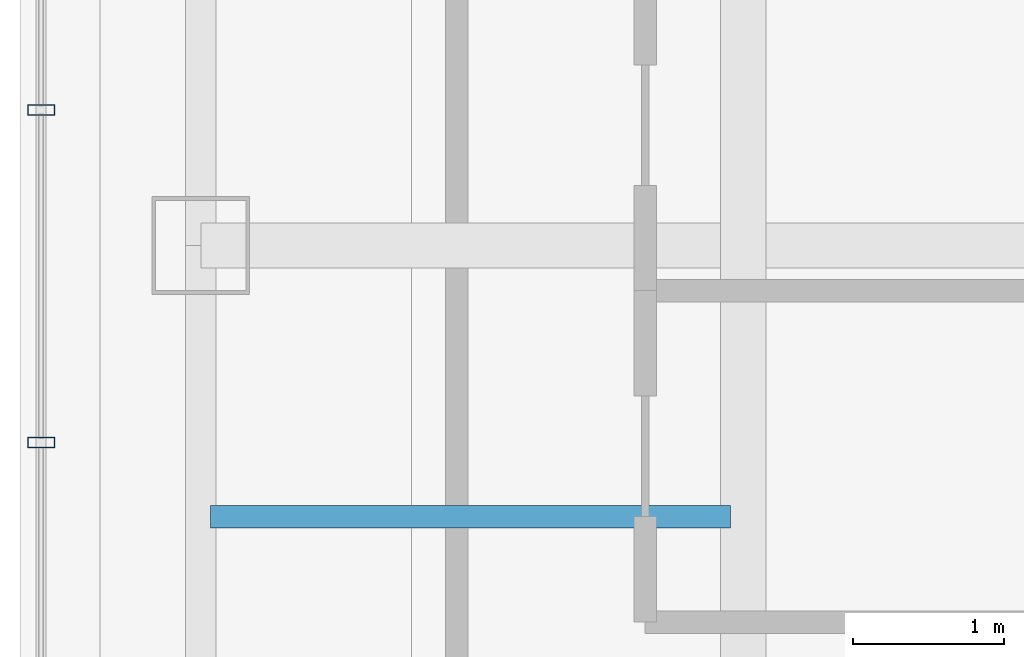
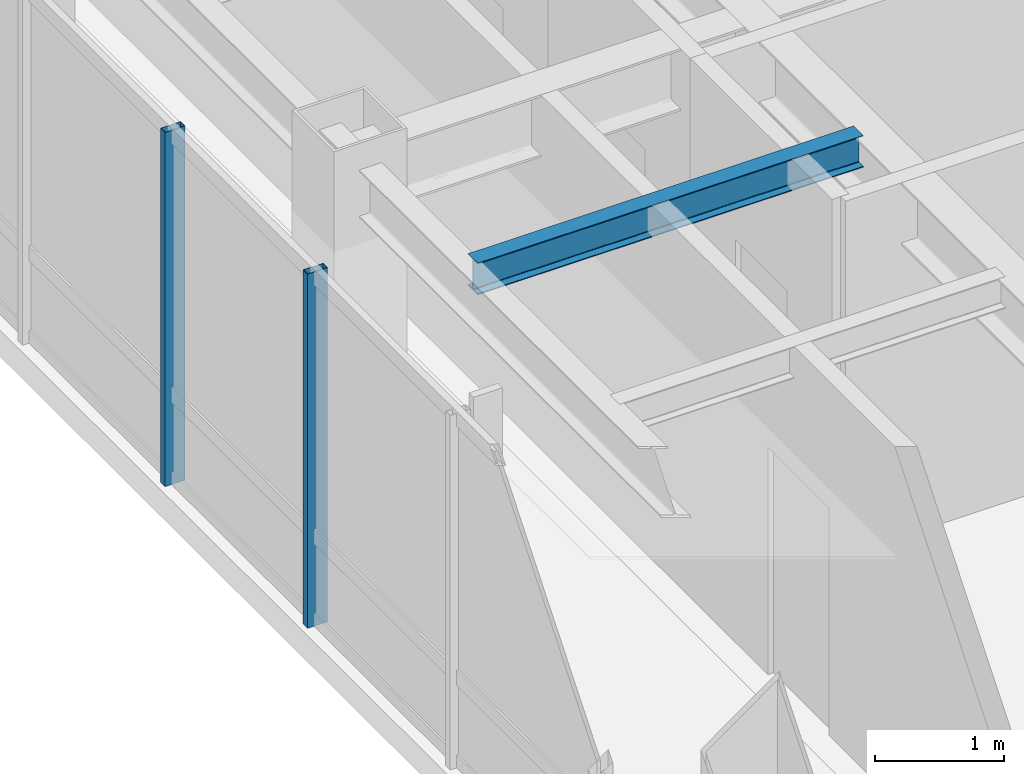
# One storey, part 6 of 25: 2 members, 1 beam, 1 element without a shape of its own.
"""IFC4 building model written with IfcOpenShell, lengths in metres."""

from ifc_helpers import new_model, si_unit, direction, frame, origin, origin_2d, place, context, subcontext, project, spatial, hollow_rectangle, i_section, extrude, material, layer, layer_set, material_profile, profile_set, type_object, element, aggregate, save


model = new_model("IFC4")

# Units and contexts
model_context = context("Model", 3, precision=1e-05, world=origin(), true_north=direction((0.0, 1.0)))
body_context = subcontext(model_context, "Body", "Model", "MODEL_VIEW")
ifc_project = project(units=[si_unit("LENGTHUNIT", "METRE"), si_unit("AREAUNIT", "SQUARE_METRE"), si_unit("VOLUMEUNIT", "CUBIC_METRE"), si_unit("PLANEANGLEUNIT", "RADIAN"), si_unit("MASSUNIT", "GRAM", prefix="KILO")], contexts=[model_context])

# Site, building, storey
site_placement = place(None, origin())
site = spatial("IfcSite", under=ifc_project, at=site_placement, CompositionType="ELEMENT")
building_placement = place(site_placement, origin())
building = spatial("IfcBuilding", under=site, at=building_placement, Name="Hatsunagi Terrace Concourse", CompositionType="ELEMENT")
storey_placement = place(building_placement, frame((0.0, 0.0, 220.35009765625)))
storey = spatial("IfcBuildingStorey", under=building, at=storey_placement, Name="L58", CompositionType="ELEMENT", Elevation=220.35009765625)

# Curtain wall, members
ifc_material_1 = material(Name="Anodised Aluminium Alloy 6063-T5", Category="aluminium")
ifc_layer = layer(ifc_material_1, 0.199951171875)
ifc_layer_set = layer_set([ifc_layer], Name="OfficeZone2_CW04")
curtain_wall_type = type_object("IfcCurtainWallType", Name="OfficeZone2_CW04", PredefinedType="NOTDEFINED", material=ifc_layer_set)
curtain_wall_placement = place(storey_placement, origin())
curtain_wall = element("IfcCurtainWall", 1, at=curtain_wall_placement, inside=storey, type_object=curtain_wall_type, Name="Unitised Curtain Wall CW-04 CW-L58-08", PredefinedType="NOTDEFINED")
ifc_material_2 = material(Name="Anodised Aluminium Alloy 6063-T5", Category="aluminium")
ifc_material_profile_1 = material_profile(ifc_material_2, hollow_rectangle(XDim=0.070068359375, YDim=0.179931640625, WallThickness=0.00390625, at=origin_2d()), Name="ALU-MUL-180x70x4")
ifc_profile_set_1 = profile_set([ifc_material_profile_1], Name="Anodised Aluminium Alloy 6063-T5")
member_type = type_object("IfcMemberType", Name="CurtainWallMullion_180x70", PredefinedType="MULLION", material=ifc_profile_set_1)
member_1_placement = place(storey_placement, frame((18.139892578125, 34.69189453125, 0.0), z_axis=(0.0, 0.0, 1.0), x_axis=(0.0, 1.0, 0.0)))
member_1 = element("IfcMember", 2, at=member_1_placement, type_object=member_type, Name="Curtain Wall Mullion MUL-02", PredefinedType="MULLION", context=body_context, shape_type="SweptSolid", body=[
    extrude(hollow_rectangle(XDim=0.070068359375, YDim=0.179931640625, WallThickness=0.00390625, at=origin_2d()), origin(), (0.0, 0.0, 1.0), 3.349853515625),
])
member_2_placement = place(storey_placement, frame((18.139892578125, 36.89990234375, 0.0), z_axis=(0.0, 0.0, 1.0), x_axis=(0.0, 1.0, 0.0)))
member_2 = element("IfcMember", 3, at=member_2_placement, type_object=member_type, Name="Curtain Wall Mullion MUL-02", PredefinedType="MULLION", context=body_context, shape_type="SweptSolid", body=[
    extrude(hollow_rectangle(XDim=0.070068359375, YDim=0.179931640625, WallThickness=0.00390625, at=origin_2d()), origin(), (0.0, 0.0, 1.0), 3.349853515625),
])
aggregate(curtain_wall, [member_1, member_2])

# Beam
ifc_material_3 = material(Name="Steel SN490B", Category="steel")
ifc_material_profile_2 = material_profile(ifc_material_3, i_section(OverallWidth=0.14990234375, OverallDepth=0.300048828125, WebThickness=0.006591796875, FlangeThickness=0.009033203125, FilletRadius=0.010986328125, at=origin_2d()), Name="H-300x150x6.5x9")
ifc_profile_set_2 = profile_set([ifc_material_profile_2], Name="Steel SN490B")
beam_type = type_object("IfcBeamType", Name="OfficeJoist_H_300x150", PredefinedType="JOIST", material=ifc_profile_set_2)
beam_placement = place(storey_placement, frame((19.264892578125, 34.199951171875, 3.199951171875), z_axis=(1.0, 0.0, 0.0), x_axis=(0.0, 1.0, 0.0)))
element("IfcBeam", 4, at=beam_placement, inside=storey, type_object=beam_type, Name="Beam J-03 J-L58-W-19-342", PredefinedType="JOIST", context=body_context, shape_type="SweptSolid", body=[
    extrude(i_section(OverallWidth=0.14990234375, OverallDepth=0.300048828125, WebThickness=0.006591796875, FlangeThickness=0.009033203125, FilletRadius=0.010986328125, at=origin_2d()), origin(), (0.0, 0.0, 1.0), 3.4501953125),
])

save(model, "model.ifc")
